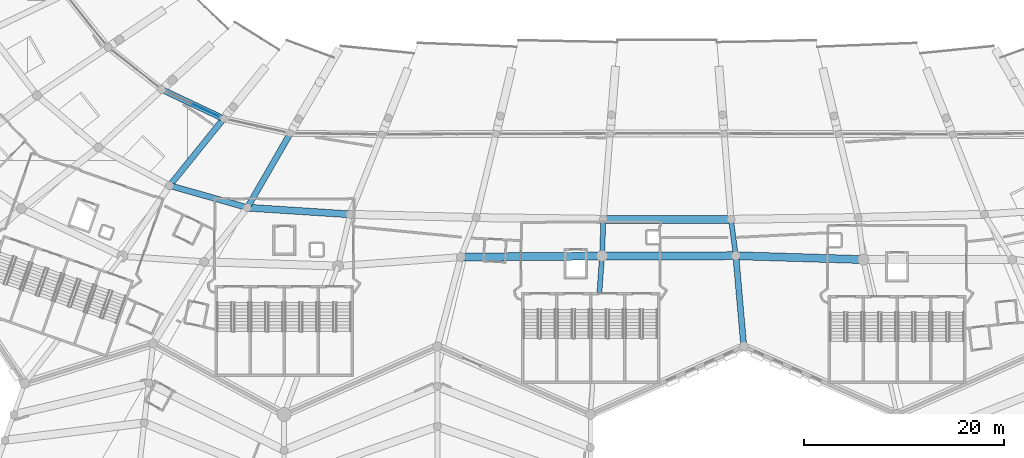
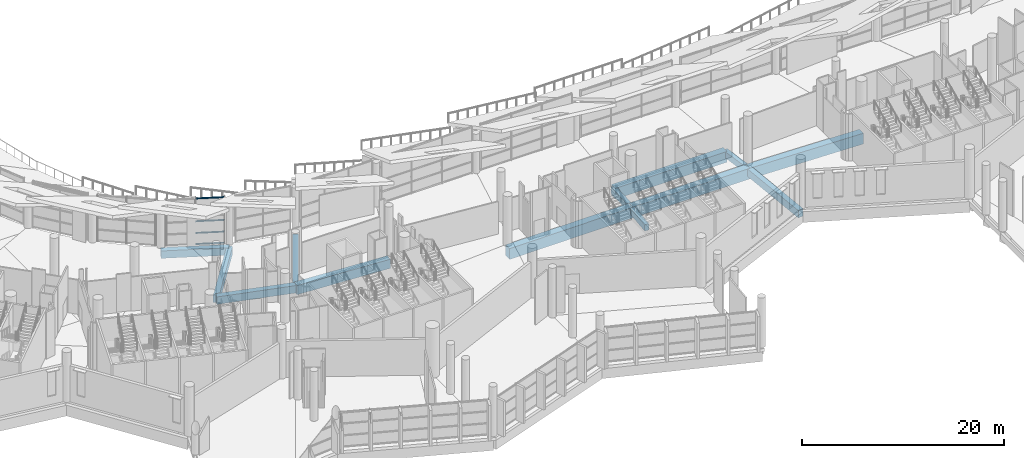
# One storey, part 16 of 249: 13 beams, 4 members, 1 element without a shape of its own.
"""IFC4 building model written with IfcOpenShell, lengths in metres."""

from ifc_helpers import new_model, si_unit, direction, frame, origin, origin_2d, place, context, subcontext, project, spatial, rectangle, extrude, material, layer, layer_set, material_profile, profile_set, type_object, element, aggregate, save


model = new_model("IFC4")

# Units and contexts
model_context = context("Model", 3, precision=1e-05, world=origin(), true_north=direction((0.0, 1.0)))
body_context = subcontext(model_context, "Body", "Model", "MODEL_VIEW")
ifc_project = project(units=[si_unit("LENGTHUNIT", "METRE"), si_unit("AREAUNIT", "SQUARE_METRE"), si_unit("VOLUMEUNIT", "CUBIC_METRE"), si_unit("PLANEANGLEUNIT", "RADIAN"), si_unit("MASSUNIT", "GRAM", prefix="KILO")], contexts=[model_context])

# Site, building, storey
site_placement = place(None, origin())
site = spatial("IfcSite", under=ifc_project, at=site_placement, CompositionType="ELEMENT")
building_placement = place(site_placement, origin())
building = spatial("IfcBuilding", under=site, at=building_placement, Name="Meseta Stadium", CompositionType="ELEMENT")
storey_placement = place(building_placement, frame((0.0, 0.0, 12.0)))
storey = spatial("IfcBuildingStorey", under=building, at=storey_placement, Name="L02", CompositionType="ELEMENT", Elevation=12.0)

# Curtain wall, members
ifc_material_1 = material(Name="Aluminium", Category="aluminium")
ifc_layer = layer(ifc_material_1, 0.199951171875)
ifc_layer_set = layer_set([ifc_layer], Name="Suite glazing curtain wall")
curtain_wall_type = type_object("IfcCurtainWallType", Name="Suite glazing curtain wall", PredefinedType="NOTDEFINED", material=ifc_layer_set)
curtain_wall_placement = place(storey_placement, origin())
curtain_wall = element("IfcCurtainWall", 1, at=curtain_wall_placement, inside=storey, type_object=curtain_wall_type, Name="Suite glazing bay 41", PredefinedType="NOTDEFINED")
ifc_material_2 = material(Name="Aluminium", Category="aluminium")
ifc_material_profile_1 = material_profile(ifc_material_2, rectangle(XDim=0.06005859375, YDim=0.14990234375, at=origin_2d()), Name="CW 60x150")
ifc_profile_set_1 = profile_set([ifc_material_profile_1], Name="Aluminium")
member_type = type_object("IfcMemberType", Name="CW transom 60x150", PredefinedType="USERDEFINED", material=ifc_profile_set_1)
member_1_placement = place(storey_placement, frame((-47.442626953125, -74.36572265625, 0.074951171875), z_axis=(0.904333972245, -0.426825569341, 0.0), x_axis=(0.426825569341, 0.904333972245, 0.0)))
member_1 = element("IfcMember", 2, at=member_1_placement, type_object=member_type, Name="CWS transom 2.1", ObjectType="TRANSOM", PredefinedType="USERDEFINED", context=body_context, shape_type="SweptSolid", body=[
    extrude(rectangle(XDim=0.06005859375, YDim=0.14990234375, at=origin_2d()), origin(), (0.0, 0.0, 1.0), 2.82275390625),
])
member_2_placement = place(storey_placement, frame((-47.442626953125, -74.36572265625, 1.41259765625), z_axis=(0.904333972245, -0.426825569341, 0.0), x_axis=(0.426825569341, 0.904333972245, 0.0)))
member_2 = element("IfcMember", 3, at=member_2_placement, type_object=member_type, Name="CWS transom 2.2", ObjectType="TRANSOM", PredefinedType="USERDEFINED", context=body_context, shape_type="SweptSolid", body=[
    extrude(rectangle(XDim=0.06005859375, YDim=0.14990234375, at=origin_2d()), origin(), (0.0, 0.0, 1.0), 2.82275390625),
])
member_3_placement = place(storey_placement, frame((-47.442626953125, -74.36572265625, 2.824951171875), z_axis=(0.904333972245, -0.426825569341, 0.0), x_axis=(0.426825569341, 0.904333972245, 0.0)))
member_3 = element("IfcMember", 4, at=member_3_placement, type_object=member_type, Name="CWS transom 2.3", ObjectType="TRANSOM", PredefinedType="USERDEFINED", context=body_context, shape_type="SweptSolid", body=[
    extrude(rectangle(XDim=0.06005859375, YDim=0.14990234375, at=origin_2d()), origin(), (0.0, 0.0, 1.0), 2.82275390625),
])
member_4_placement = place(storey_placement, frame((-47.442626953125, -74.36572265625, 5.574951171875), z_axis=(0.904333972245, -0.426825569341, 0.0), x_axis=(0.426825569341, 0.904333972245, 0.0)))
member_4 = element("IfcMember", 5, at=member_4_placement, type_object=member_type, Name="CWS transom 2.4", ObjectType="TRANSOM", PredefinedType="USERDEFINED", context=body_context, shape_type="SweptSolid", body=[
    extrude(rectangle(XDim=0.06005859375, YDim=0.14990234375, at=origin_2d()), origin(), (0.0, 0.0, 1.0), 2.82275390625),
])
aggregate(curtain_wall, [member_1, member_2, member_3, member_4])

# Beams
ifc_material_3 = material(Name="Concrete C40/50", Category="concrete")
ifc_material_profile_2 = material_profile(ifc_material_3, rectangle(XDim=0.5, YDim=0.75, at=origin_2d()), Name="RC 500x750")
ifc_profile_set_2 = profile_set([ifc_material_profile_2], Name="Concrete C40/50")
beam_type_1 = type_object("IfcBeamType", Name="RC beam 500x750", PredefinedType="BEAM", material=ifc_profile_set_2)
beam_1_placement = place(storey_placement, frame((-6.386962890625, -85.876708984375, -0.72509765625), z_axis=(-0.035437776234, -0.999371884743, 0.0), x_axis=(0.999371884743, -0.035437776234, 0.0)))
element("IfcBeam", 6, at=beam_1_placement, inside=storey, type_object=beam_type_1, Name="L02 radial beam frame 46 line E to P", PredefinedType="BEAM", context=body_context, shape_type="SweptSolid", body=[
    extrude(rectangle(XDim=0.5, YDim=0.75, at=origin_2d()), origin(), (0.0, 0.0, 1.0), 3.671875),
])
beam_2_placement = place(storey_placement, frame((-6.51708984375, -89.54638671875, -0.72509765625), z_axis=(-0.072312695021, -0.997382010134, 0.0), x_axis=(0.997382010134, -0.072312695021, 0.0)))
element("IfcBeam", 7, at=beam_2_placement, inside=storey, type_object=beam_type_1, Name="L02 radial beam frame 46 line P to R", PredefinedType="BEAM", context=body_context, shape_type="SweptSolid", body=[
    extrude(rectangle(XDim=0.5, YDim=0.75, at=origin_2d()), origin(), (0.0, 0.0, 1.0), 3.6630859375),
])
beam_3_placement = place(storey_placement, frame((6.386962890625, -85.876708984375, -0.72509765625), z_axis=(0.131671729661, -0.991293375146, 0.0), x_axis=(0.991293375146, 0.131671729661, 0.0)))
element("IfcBeam", 8, at=beam_3_placement, inside=storey, type_object=beam_type_1, Name="L02 radial beam frame 47 line E to P", PredefinedType="BEAM", context=body_context, shape_type="SweptSolid", body=[
    extrude(rectangle(XDim=0.5, YDim=0.75, at=origin_2d()), origin(), (0.0, 0.0, 1.0), 3.673095703125),
])
ifc_material_4 = material(Name="Concrete C40/50", Category="concrete")
ifc_material_profile_3 = material_profile(ifc_material_4, rectangle(XDim=0.60009765625, YDim=0.89990234375, at=origin_2d()), Name="RC 600x900")
ifc_profile_set_3 = profile_set([ifc_material_profile_3], Name="Concrete C40/50")
beam_type_2 = type_object("IfcBeamType", Name="RC beam 600x900", PredefinedType="BEAM", material=ifc_profile_set_3)
beam_4_placement = place(storey_placement, frame((-50.571533203125, -72.888916015625, -0.800048828125), z_axis=(0.904340564666, -0.426811601412, 0.0), x_axis=(0.426811601412, 0.904340564666, 0.0)))
element("IfcBeam", 9, at=beam_4_placement, inside=storey, type_object=beam_type_2, Name="L02 ring beam frame 41 line D", PredefinedType="BEAM", context=body_context, shape_type="SweptSolid", body=[
    extrude(rectangle(XDim=0.60009765625, YDim=0.89990234375, at=origin_2d()), origin(), (0.0, 0.0, 1.0), 6.83544921875),
])
beam_5_placement = place(storey_placement, frame((-49.791015625, -82.498779296875, -0.800048828125), z_axis=(0.961951325549, -0.273220876351, 0.0), x_axis=(0.273220876351, 0.961951325549, 0.0)))
element("IfcBeam", 10, at=beam_5_placement, inside=storey, type_object=beam_type_2, Name="L02 ring beam frame 42 line E", PredefinedType="BEAM", context=body_context, shape_type="SweptSolid", body=[
    extrude(rectangle(XDim=0.60009765625, YDim=0.89990234375, at=origin_2d()), origin(), (0.0, 0.0, 1.0), 8.083251953125),
])
beam_6_placement = place(storey_placement, frame((-44.389892578125, -75.806396484375, -0.800048828125), z_axis=(-0.628037063111, -0.778183427836, 0.0), x_axis=(0.778183427836, -0.628037063111, 0.0)))
element("IfcBeam", 11, at=beam_6_placement, inside=storey, type_object=beam_type_2, Name="L02 radial beam frame 42 line D to E", PredefinedType="BEAM", context=body_context, shape_type="SweptSolid", body=[
    extrude(rectangle(XDim=0.60009765625, YDim=0.89990234375, at=origin_2d()), origin(), (0.0, 0.0, 1.0), 8.60009765625),
])
beam_7_placement = place(storey_placement, frame((-37.711669921875, -77.26171875, -0.800048828125), z_axis=(-0.500437453612, -0.865772692467, 0.0), x_axis=(0.865772692467, -0.500437453612, 0.0)))
element("IfcBeam", 12, at=beam_7_placement, inside=storey, type_object=beam_type_2, Name="L02 radial beam frame 43 line D to E", PredefinedType="BEAM", context=body_context, shape_type="SweptSolid", body=[
    extrude(rectangle(XDim=0.60009765625, YDim=0.89990234375, at=origin_2d()), origin(), (0.0, 0.0, 1.0), 8.599853515625),
])
beam_8_placement = place(storey_placement, frame((6.87060546875, -89.517822265625, -0.800048828125), z_axis=(0.087324072983, -0.996179956774, 0.0), x_axis=(0.996179956774, 0.087324072983, 0.0)))
element("IfcBeam", 13, at=beam_8_placement, inside=storey, type_object=beam_type_2, Name="L02 radial beam frame 47 line P to R", PredefinedType="BEAM", context=body_context, shape_type="SweptSolid", body=[
    extrude(rectangle(XDim=0.60009765625, YDim=0.89990234375, at=origin_2d()), origin(), (0.0, 0.0, 1.0), 9.1171875),
])
ifc_material_5 = material(Name="Concrete C40/50", Category="concrete")
ifc_material_profile_4 = material_profile(ifc_material_5, rectangle(XDim=0.699951171875, YDim=1.10009765625, at=origin_2d()), Name="RC 700x1100")
ifc_profile_set_4 = profile_set([ifc_material_profile_4], Name="Concrete C40/50")
beam_type_3 = type_object("IfcBeamType", Name="RC beam 700x1100", PredefinedType="BEAM", material=ifc_profile_set_4)
beam_9_placement = place(storey_placement, frame((-42.015380859375, -84.707275390625, -0.89990234375), z_axis=(0.997885824096, -0.064991399959, 0.0), x_axis=(0.064991399959, 0.997885824096, 0.0)))
element("IfcBeam", 14, at=beam_9_placement, inside=storey, type_object=beam_type_3, Name="L02 ring beam frame 43 line E", PredefinedType="BEAM", context=body_context, shape_type="SweptSolid", body=[
    extrude(rectangle(XDim=0.699951171875, YDim=1.10009765625, at=origin_2d()), origin(), (0.0, 0.0, 1.0), 10.30029296875),
])
ifc_material_6 = material(Name="Concrete C40/50", Category="concrete")
ifc_material_profile_5 = material_profile(ifc_material_6, rectangle(XDim=0.800048828125, YDim=1.300048828125, at=origin_2d()), Name="RC 800x1300")
ifc_profile_set_5 = profile_set([ifc_material_profile_5], Name="Concrete C40/50")
beam_type_4 = type_object("IfcBeamType", Name="RC beam 800x1300", PredefinedType="BEAM", material=ifc_profile_set_5)
beam_10_placement = place(storey_placement, frame((-20.649658203125, -89.65625, -1.0), z_axis=(0.999969785649, 0.007773531251, 0.0), x_axis=(-0.007773531251, 0.999969785649, 0.0)))
element("IfcBeam", 15, at=beam_10_placement, inside=storey, type_object=beam_type_4, Name="L02 ring beam frame 45 line P", PredefinedType="BEAM", context=body_context, shape_type="SweptSolid", body=[
    extrude(rectangle(XDim=0.800048828125, YDim=1.300048828125, at=origin_2d()), origin(), (0.0, 0.0, 1.0), 14.133056640625),
])
beam_11_placement = place(storey_placement, frame((-6.386962890625, -85.876708984375, -1.0), z_axis=(1.0, 0.0, 0.0), x_axis=(0.0, 1.0, 0.0)))
element("IfcBeam", 16, at=beam_11_placement, inside=storey, type_object=beam_type_4, Name="L02 ring beam frame 46 line E", PredefinedType="BEAM", context=body_context, shape_type="SweptSolid", body=[
    extrude(rectangle(XDim=0.800048828125, YDim=1.300048828125, at=origin_2d()), origin(), (0.0, 0.0, 1.0), 12.77392578125),
])
beam_12_placement = place(storey_placement, frame((-6.51708984375, -89.54638671875, -1.0), z_axis=(0.999997723809, 0.002133629982, 0.0), x_axis=(-0.002133629982, 0.999997723809, 0.0)))
element("IfcBeam", 17, at=beam_12_placement, inside=storey, type_object=beam_type_4, Name="L02 ring beam frame 46 line P", PredefinedType="BEAM", context=body_context, shape_type="SweptSolid", body=[
    extrude(rectangle(XDim=0.800048828125, YDim=1.300048828125, at=origin_2d()), origin(), (0.0, 0.0, 1.0), 13.3876953125),
])
beam_13_placement = place(storey_placement, frame((6.87060546875, -89.517822265625, -1.0), z_axis=(0.999542564532, -0.030243374311, 0.0), x_axis=(0.030243374311, 0.999542564532, 0.0)))
element("IfcBeam", 18, at=beam_13_placement, inside=storey, type_object=beam_type_4, Name="L02 ring beam frame 47 line P", PredefinedType="BEAM", context=body_context, shape_type="SweptSolid", body=[
    extrude(rectangle(XDim=0.800048828125, YDim=1.300048828125, at=origin_2d()), origin(), (0.0, 0.0, 1.0), 12.7626953125),
])

save(model, "model.ifc")
